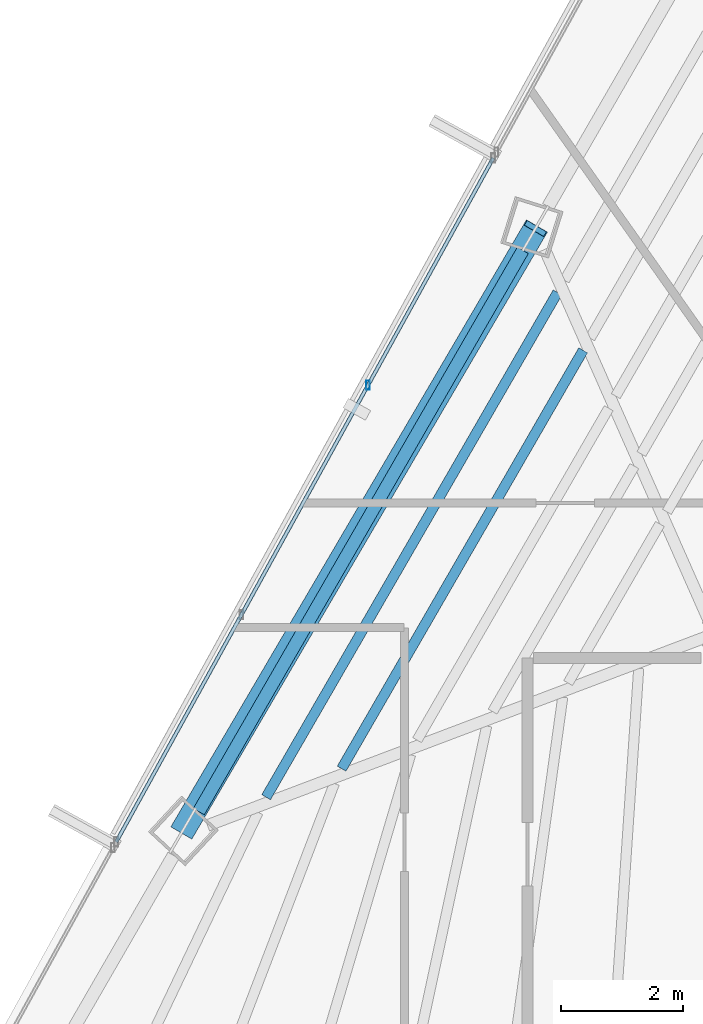
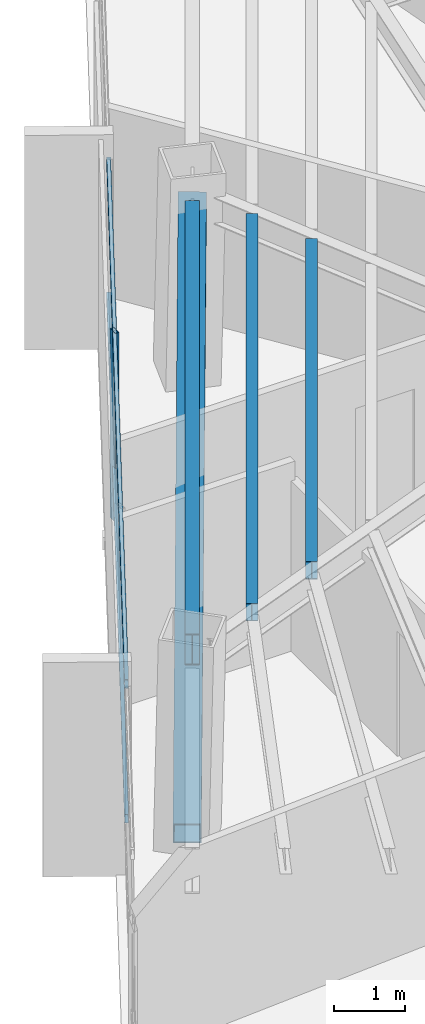
# One storey, part 15 of 40: 4 members, 3 beams, 1 element without a shape of its own.
"""IFC4 building model written with IfcOpenShell, lengths in metres."""

from ifc_helpers import new_model, si_unit, direction, frame, origin, origin_2d, place, context, subcontext, project, spatial, hollow_rectangle, i_section, extrude, source, transform, mapped, material, material_profile, profile_set, type_object, type_shapes, element, aggregate, save


model = new_model("IFC4")

# Units and contexts
model_context = context("Model", 3, precision=1e-05, world=origin(), true_north=direction((0.0, 1.0)))
body_context = subcontext(model_context, "Body", "Model", "MODEL_VIEW")
ifc_project = project(units=[si_unit("LENGTHUNIT", "METRE"), si_unit("AREAUNIT", "SQUARE_METRE"), si_unit("VOLUMEUNIT", "CUBIC_METRE"), si_unit("PLANEANGLEUNIT", "RADIAN"), si_unit("MASSUNIT", "GRAM", prefix="KILO")], contexts=[model_context])

# Site, building, storey
site_placement = place(None, origin())
site = spatial("IfcSite", under=ifc_project, at=site_placement, CompositionType="ELEMENT")
building_placement = place(site_placement, origin())
building = spatial("IfcBuilding", under=site, at=building_placement, Name="Caelisora Broadcast Tower", CompositionType="ELEMENT")
storey_placement = place(building_placement, frame((0.0, 0.0, 216.89990234375)))
storey = spatial("IfcBuildingStorey", under=building, at=storey_placement, Name="L57", CompositionType="ELEMENT", Elevation=216.89990234375)

# Beams
ifc_material_1 = material(Name="Steel Grade 350 (AS/NZS 3679.1)", Category="steel")
ifc_material_profile_1 = material_profile(ifc_material_1, i_section(OverallWidth=0.208984375, OverallDepth=0.532958984375, WebThickness=0.01025390625, FlangeThickness=0.015625, at=origin_2d()), Name="Steel Grade 350 (AS/NZS 3679.1)")
ifc_profile_set_1 = profile_set([ifc_material_profile_1], Name="Steel Grade 350 (AS/NZS 3679.1)")
beam_type_1 = type_object("IfcBeamType", Name="PG05", PredefinedType="BEAM", material=ifc_profile_set_1)
shared_shape_1 = source(origin(), body_context, "Body", "SweptSolid", [
    extrude(i_section(OverallWidth=0.208984375, OverallDepth=0.532958984375, WebThickness=0.01025390625, FlangeThickness=0.015625, at=origin_2d()), origin(), (0.0, 0.0, 1.0), 10.6552734375),
])
type_shapes(beam_type_1, [shared_shape_1])
beam_1_placement = place(storey_placement, frame((27.345947265625, 36.302978515625, 2.983642578125), z_axis=(-0.49999814194, -0.866026476533, 0.0), x_axis=(0.866026476533, -0.49999814194, 0.0)))
element("IfcBeam", 1, at=beam_1_placement, inside=storey, type_object=beam_type_1, Name="L57 beam PG05", PredefinedType="BEAM", context=body_context, shape_type="MappedRepresentation", body=[
    mapped(shared_shape_1, transform((0.0, 0.0, 0.0), scale=1.0)),
])
ifc_material_profile_2 = material_profile(ifc_material_1, i_section(OverallWidth=0.166015625, OverallDepth=0.30712890625, WebThickness=0.006591796875, FlangeThickness=0.01171875, at=origin_2d()), Name="Steel Grade 350 (AS/NZS 3679.1)")
ifc_profile_set_2 = profile_set([ifc_material_profile_2], Name="Steel Grade 350 (AS/NZS 3679.1)")
beam_type_2 = type_object("IfcBeamType", Name="SB03", PredefinedType="JOIST", material=ifc_profile_set_2)
shared_shape_2 = source(origin(), body_context, "Body", "SweptSolid", [
    extrude(i_section(OverallWidth=0.166015625, OverallDepth=0.30712890625, WebThickness=0.006591796875, FlangeThickness=0.01171875, at=origin_2d()), origin(), (0.0, 0.0, 1.0), 7.9423828125),
])
beam_2_placement = place(storey_placement, frame((28.338134765625, 34.65966796875, 3.096435546875), z_axis=(-0.500007166863, -0.866021265955, 0.0), x_axis=(0.866021265955, -0.500007166863, 0.0)))
element("IfcBeam", 2, at=beam_2_placement, inside=storey, type_object=beam_type_2, Name="L57 beam SB03", PredefinedType="JOIST", context=body_context, shape_type="MappedRepresentation", body=[
    mapped(shared_shape_2, transform((0.0, 0.0, 0.0), scale=1.0)),
])
shared_shape_3 = source(origin(), body_context, "Body", "SweptSolid", [
    extrude(i_section(OverallWidth=0.166015625, OverallDepth=0.30712890625, WebThickness=0.006591796875, FlangeThickness=0.01171875, at=origin_2d()), origin(), (0.0, 0.0, 1.0), 9.583251953125),
])
type_shapes(beam_type_2, [shared_shape_2, shared_shape_3])
beam_3_placement = place(storey_placement, frame((27.917236328125, 35.611572265625, 3.096435546875), z_axis=(-0.500010603231, -0.86601928192, 0.0), x_axis=(0.86601928192, -0.500010603231, 0.0)))
element("IfcBeam", 3, at=beam_3_placement, inside=storey, type_object=beam_type_2, Name="L57 beam SB03", PredefinedType="JOIST", context=body_context, shape_type="MappedRepresentation", body=[
    mapped(shared_shape_3, transform((0.0, 0.0, 0.0), scale=1.0)),
])

# Member
ifc_material_2 = material(Name="Steel Grade 450 (AS/NZS 1163 C450L0)", Category="steel")
ifc_material_profile_3 = material_profile(ifc_material_2, hollow_rectangle(XDim=0.39990234375, YDim=0.39990234375, WallThickness=0.01611328125, at=origin_2d()), Name="Steel Grade 450 (AS/NZS 1163 C450L0)")
ifc_profile_set_3 = profile_set([ifc_material_profile_3], Name="Steel Grade 450 (AS/NZS 1163 C450L0)")
member_type_1 = type_object("IfcMemberType", Name="BR04", PredefinedType="BRACE", material=ifc_profile_set_3)
shared_shape_4 = source(origin(), body_context, "Body", "SweptSolid", [
    extrude(hollow_rectangle(XDim=0.39990234375, YDim=0.39990234375, WallThickness=0.01611328125, at=origin_2d()), origin(), (0.0, 0.0, 1.0), 11.81982421875),
])
type_shapes(member_type_1, [shared_shape_4])
member_1_placement = place(storey_placement, frame((27.553955078125, 36.6630859375, 2.9501953125), z_axis=(-0.49054468122, -0.837389865736, -0.2411309364), x_axis=(0.862850342669, -0.505459480231, 0.0)))
element("IfcMember", 4, at=member_1_placement, inside=storey, type_object=member_type_1, Name="L57 perimeter brace BR04", PredefinedType="BRACE", context=body_context, shape_type="MappedRepresentation", body=[
    mapped(shared_shape_4, transform((0.0, 0.0, 0.0), scale=1.0)),
])

# Curtain wall, members
ifc_material_3 = material(Name="Unitised Aluminium Insulated Shadow-Box Spandrel Curtain Wall", Category="aluminium")
curtain_wall_type = type_object("IfcCurtainWallType", Name="CW-SP2", PredefinedType="NOTDEFINED", material=ifc_material_3)
curtain_wall_placement = place(storey_placement, origin())
curtain_wall = element("IfcCurtainWall", 5, at=curtain_wall_placement, inside=storey, type_object=curtain_wall_type, Name="L57 curtain wall CW-SP2", PredefinedType="NOTDEFINED")
ifc_material_4 = material(Name="Aluminium 6063-T6 Anodised Terracotta Bronze", Category="aluminium")
ifc_material_profile_4 = material_profile(ifc_material_4, hollow_rectangle(XDim=0.06005859375, YDim=0.14990234375, WallThickness=0.00341796875, at=origin_2d()), Name="Aluminium 6063-T6 Anodised Terracotta Bronze")
ifc_profile_set_4 = profile_set([ifc_material_profile_4], Name="Aluminium 6063-T6 Anodised Terracotta Bronze")
member_type_2 = type_object("IfcMemberType", Name="CWM-03", PredefinedType="MULLION", material=ifc_profile_set_4)
shared_shape_5 = source(origin(), body_context, "Body", "SweptSolid", [
    extrude(hollow_rectangle(XDim=0.06005859375, YDim=0.14990234375, WallThickness=0.00341796875, at=origin_2d()), origin(), (0.0, 0.0, 1.0), 3.25),
])
type_shapes(member_type_2, [shared_shape_5])
member_2_placement = place(storey_placement, frame((24.80224609375, 34.087890625, 0.0), z_axis=(0.0, 0.0, 1.0), x_axis=(1.0, 0.0, 0.0)))
member_2 = element("IfcMember", 6, at=member_2_placement, type_object=member_type_2, Name="L57-CW-B10 mullion #2", PredefinedType="MULLION", context=body_context, shape_type="MappedRepresentation", body=[
    mapped(shared_shape_5, transform((0.0, 0.0, 0.0), scale=1.0)),
])
ifc_material_profile_5 = material_profile(ifc_material_4, hollow_rectangle(XDim=0.06005859375, YDim=0.14990234375, WallThickness=0.00341796875, at=origin_2d()), Name="Aluminium 6063-T6 Anodised Terracotta Bronze")
ifc_profile_set_5 = profile_set([ifc_material_profile_5], Name="Aluminium 6063-T6 Anodised Terracotta Bronze")
member_type_3 = type_object("IfcMemberType", Name="CWT-02", PredefinedType="USERDEFINED", material=ifc_profile_set_5)
shared_shape_6 = source(origin(), body_context, "Body", "SweptSolid", [
    extrude(hollow_rectangle(XDim=0.06005859375, YDim=0.14990234375, WallThickness=0.00341796875, at=origin_2d()), origin(), (0.0, 0.0, 1.0), 12.842041015625),
])
type_shapes(member_type_3, [shared_shape_6])
member_3_placement = place(storey_placement, frame((20.66015625, 26.575927734375, 0.85009765625), z_axis=(0.482857705961, 0.875698827106, 0.0), x_axis=(-0.875698827106, 0.482857705961, 0.0)))
member_3 = element("IfcMember", 7, at=member_3_placement, type_object=member_type_3, Name="L57-CW-B10 transom #1", ObjectType="TRANSOM", PredefinedType="USERDEFINED", context=body_context, shape_type="MappedRepresentation", body=[
    mapped(shared_shape_6, transform((0.0, 0.0, 0.0), scale=1.0)),
])
member_4_placement = place(storey_placement, frame((20.66015625, 26.575927734375, 3.170166015625), z_axis=(0.482857705961, 0.875698827106, 0.0), x_axis=(-0.875698827106, 0.482857705961, 0.0)))
member_4 = element("IfcMember", 8, at=member_4_placement, type_object=member_type_3, Name="L57-CW-B10 transom #2", ObjectType="TRANSOM", PredefinedType="USERDEFINED", context=body_context, shape_type="MappedRepresentation", body=[
    mapped(shared_shape_6, transform((0.0, 0.0, 0.0), scale=1.0)),
])
aggregate(curtain_wall, [member_2, member_3, member_4])

save(model, "model.ifc")
